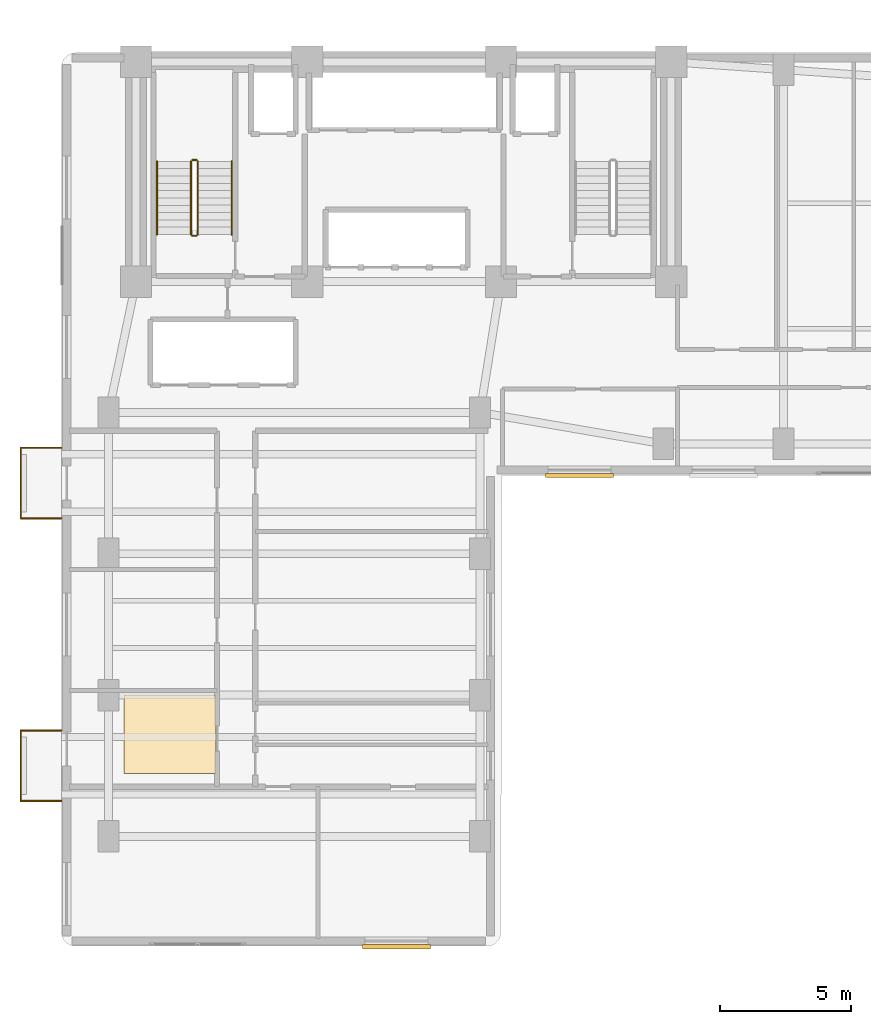
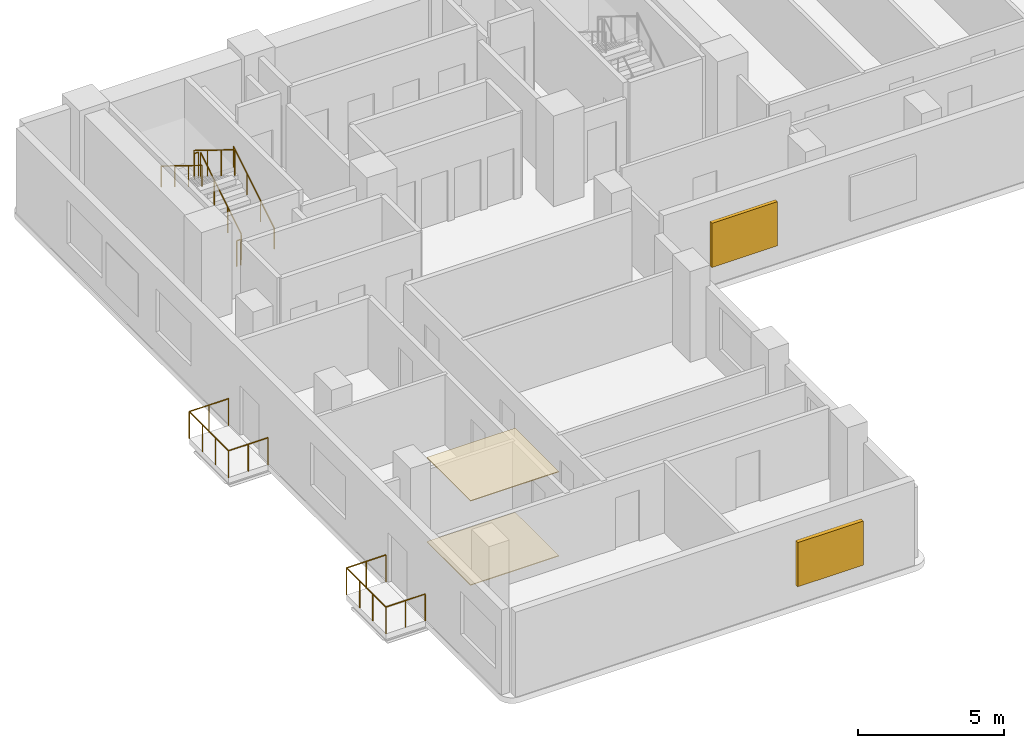
# One storey, part 13 of 16: 12 railings, 2 coverings, 2 shading devices.
"""IFC4 building model written with IfcOpenShell, lengths in metres."""

from ifc_helpers import new_model, si_unit, direction, frame, origin, origin_2d, place, context, subcontext, project, spatial, polyline, rectangle, circle, outline, extrude, material, layer, layer_set, type_object, element, save


model = new_model("IFC4")

# Units and contexts
model_context = context("Model", 3, precision=1e-05, world=origin(), true_north=direction((0.0, 1.0)))
body_context = subcontext(model_context, "Body", "Model", "MODEL_VIEW")
ifc_project = project(units=[si_unit("LENGTHUNIT", "METRE"), si_unit("AREAUNIT", "SQUARE_METRE"), si_unit("VOLUMEUNIT", "CUBIC_METRE"), si_unit("PLANEANGLEUNIT", "RADIAN"), si_unit("MASSUNIT", "GRAM", prefix="KILO")], contexts=[model_context])

# Site, building, storey
site_placement = place(None, origin())
site = spatial("IfcSite", under=ifc_project, at=site_placement, CompositionType="ELEMENT")
building_placement = place(site_placement, origin())
building = spatial("IfcBuilding", under=site, at=building_placement, Name="Kuzgunbayir Cultural Tower", CompositionType="ELEMENT")
storey_placement = place(building_placement, frame((0.0, 0.0, 75.60009765625)))
storey = spatial("IfcBuildingStorey", under=building, at=storey_placement, Name="L21", CompositionType="ELEMENT", Elevation=75.60009765625)

# Coverings
ifc_material_1 = material(Name="Perforated Gypsum Acoustic Tile", Category="gypsum")
ifc_layer_1 = layer(ifc_material_1, 0.02490234375)
ifc_layer_set_1 = layer_set([ifc_layer_1], Name="Perforated Gypsum Acoustic Tile")
covering_type_1 = type_object("IfcCoveringType", Name="COV-CEIL-ACOUSTIC", PredefinedType="CEILING", material=ifc_layer_set_1)
covering_1_placement = place(storey_placement, frame((0.0, 0.0, 3.52978515625)))
element("IfcCovering", 1, at=covering_1_placement, inside=storey, type_object=covering_type_1, Name="L21 Acoustic Soffit Ceiling", PredefinedType="CEILING", context=body_context, shape_type="SweptSolid", body=[
    extrude(outline(polyline([(6.0, 15.0), (9.5, 15.0), (9.5, 18.0), (6.0, 18.0), (6.0, 15.0)])), origin(), (0.0, 0.0, 1.0), 0.030029296875),
])
ifc_material_2 = material(Name="Honed Anatolian Marble Terrazzo", Category="masonry")
ifc_layer_2 = layer(ifc_material_2, 0.030029296875)
ifc_layer_set_2 = layer_set([ifc_layer_2], Name="Honed Anatolian Marble Terrazzo")
covering_type_2 = type_object("IfcCoveringType", Name="COV-FLOOR-TERRAZZO", PredefinedType="FLOORING", material=ifc_layer_set_2)
covering_2_placement = place(storey_placement, origin())
element("IfcCovering", 2, at=covering_2_placement, inside=storey, type_object=covering_type_2, Name="L21 Acoustic Floor Finish", PredefinedType="FLOORING", context=body_context, shape_type="SweptSolid", body=[
    extrude(outline(polyline([(6.0, 15.0), (9.5, 15.0), (9.5, 18.0), (6.0, 18.0), (6.0, 15.0)])), origin(), (0.0, 0.0, 1.0), 0.02978515625),
])

# Railings
ifc_material_3 = material(Name="Laminated Glass and Stainless Steel", Category="steel")
ifc_layer_3 = layer(ifc_material_3, 0.080078125)
ifc_layer_set_3 = layer_set([ifc_layer_3], Name="Laminated Glass and Stainless Steel")
railing_type_1 = type_object("IfcRailingType", Name="RLG-BAL-115", PredefinedType="BALUSTRADE", material=ifc_layer_set_3)
railing_1_placement = place(storey_placement, frame((3.60009765625, 13.949951171875, 0.0)))
element("IfcRailing", 3, at=railing_1_placement, inside=storey, type_object=railing_type_1, Name="L21 Balcony Guard BAL-L21-WA1 Segment 1", PredefinedType="BALUSTRADE", context=body_context, shape_type="SweptSolid", body=[
    extrude(circle(Radius=0.02392578125, at=origin_2d()), frame((0.0, 0.0, 1.1259765625), z_axis=(-1.0, 0.0, 0.0), x_axis=(0.0, -1.0, 0.0)), (0.0, 0.0, 1.0), 1.56005859375),
    extrude(circle(Radius=0.02099609375, at=origin_2d()), origin(), (0.0, 0.0, 1.0), 1.101806640625),
    extrude(circle(Radius=0.02099609375, at=origin_2d()), frame((-0.780029296875, 0.0, 0.0)), (0.0, 0.0, 1.0), 1.101806640625),
    extrude(circle(Radius=0.02099609375, at=origin_2d()), frame((-1.56005859375, 0.0, 0.0)), (0.0, 0.0, 1.0), 1.101806640625),
])
railing_2_placement = place(storey_placement, frame((2.0400390625, 13.949951171875, 0.0)))
element("IfcRailing", 4, at=railing_2_placement, inside=storey, type_object=railing_type_1, Name="L21 Balcony Guard BAL-L21-WA1 Segment 2", PredefinedType="BALUSTRADE", context=body_context, shape_type="SweptSolid", body=[
    extrude(circle(Radius=0.02392578125, at=origin_2d()), frame((0.0, 0.0, 1.1259765625), z_axis=(0.0, 1.0, 0.0), x_axis=(-1.0, 0.0, 0.0)), (0.0, 0.0, 1.0), 2.699951171875),
    extrude(circle(Radius=0.02099609375, at=origin_2d()), origin(), (0.0, 0.0, 1.0), 1.101806640625),
    extrude(circle(Radius=0.02099609375, at=origin_2d()), frame((0.0, 0.89990234375, 0.0)), (0.0, 0.0, 1.0), 1.101806640625),
    extrude(circle(Radius=0.02099609375, at=origin_2d()), frame((0.0, 1.800048828125, 0.0)), (0.0, 0.0, 1.0), 1.101806640625),
    extrude(circle(Radius=0.02099609375, at=origin_2d()), frame((0.0, 2.699951171875, 0.0)), (0.0, 0.0, 1.0), 1.101806640625),
])
railing_3_placement = place(storey_placement, frame((2.0400390625, 16.64990234375, 0.0)))
element("IfcRailing", 5, at=railing_3_placement, inside=storey, type_object=railing_type_1, Name="L21 Balcony Guard BAL-L21-WA1 Segment 3", PredefinedType="BALUSTRADE", context=body_context, shape_type="SweptSolid", body=[
    extrude(circle(Radius=0.02392578125, at=origin_2d()), frame((0.0, 0.0, 1.1259765625), z_axis=(1.0, 0.0, 0.0), x_axis=(0.0, 1.0, 0.0)), (0.0, 0.0, 1.0), 1.56005859375),
    extrude(circle(Radius=0.02099609375, at=origin_2d()), origin(), (0.0, 0.0, 1.0), 1.101806640625),
    extrude(circle(Radius=0.02099609375, at=origin_2d()), frame((0.780029296875, 0.0, 0.0)), (0.0, 0.0, 1.0), 1.101806640625),
    extrude(circle(Radius=0.02099609375, at=origin_2d()), frame((1.56005859375, 0.0, 0.0)), (0.0, 0.0, 1.0), 1.101806640625),
])
railing_4_placement = place(storey_placement, frame((3.60009765625, 24.75, 0.0)))
element("IfcRailing", 6, at=railing_4_placement, inside=storey, type_object=railing_type_1, Name="L21 Balcony Guard BAL-L21-WA3 Segment 1", PredefinedType="BALUSTRADE", context=body_context, shape_type="SweptSolid", body=[
    extrude(circle(Radius=0.02392578125, at=origin_2d()), frame((0.0, 0.0, 1.1259765625), z_axis=(-1.0, 0.0, 0.0), x_axis=(0.0, -1.0, 0.0)), (0.0, 0.0, 1.0), 1.56005859375),
    extrude(circle(Radius=0.02099609375, at=origin_2d()), origin(), (0.0, 0.0, 1.0), 1.101806640625),
    extrude(circle(Radius=0.02099609375, at=origin_2d()), frame((-0.780029296875, 0.0, 0.0)), (0.0, 0.0, 1.0), 1.101806640625),
    extrude(circle(Radius=0.02099609375, at=origin_2d()), frame((-1.56005859375, 0.0, 0.0)), (0.0, 0.0, 1.0), 1.101806640625),
])
railing_5_placement = place(storey_placement, frame((2.0400390625, 24.75, 0.0)))
element("IfcRailing", 7, at=railing_5_placement, inside=storey, type_object=railing_type_1, Name="L21 Balcony Guard BAL-L21-WA3 Segment 2", PredefinedType="BALUSTRADE", context=body_context, shape_type="SweptSolid", body=[
    extrude(circle(Radius=0.02392578125, at=origin_2d()), frame((0.0, 0.0, 1.1259765625), z_axis=(0.0, 1.0, 0.0), x_axis=(-1.0, 0.0, 0.0)), (0.0, 0.0, 1.0), 2.699951171875),
    extrude(circle(Radius=0.02099609375, at=origin_2d()), origin(), (0.0, 0.0, 1.0), 1.101806640625),
    extrude(circle(Radius=0.02099609375, at=origin_2d()), frame((0.0, 0.89990234375, 0.0)), (0.0, 0.0, 1.0), 1.101806640625),
    extrude(circle(Radius=0.02099609375, at=origin_2d()), frame((0.0, 1.800048828125, 0.0)), (0.0, 0.0, 1.0), 1.101806640625),
    extrude(circle(Radius=0.02099609375, at=origin_2d()), frame((0.0, 2.699951171875, 0.0)), (0.0, 0.0, 1.0), 1.101806640625),
])
railing_6_placement = place(storey_placement, frame((2.0400390625, 27.449951171875, 0.0)))
element("IfcRailing", 8, at=railing_6_placement, inside=storey, type_object=railing_type_1, Name="L21 Balcony Guard BAL-L21-WA3 Segment 3", PredefinedType="BALUSTRADE", context=body_context, shape_type="SweptSolid", body=[
    extrude(circle(Radius=0.02392578125, at=origin_2d()), frame((0.0, 0.0, 1.1259765625), z_axis=(1.0, 0.0, 0.0), x_axis=(0.0, 1.0, 0.0)), (0.0, 0.0, 1.0), 1.56005859375),
    extrude(circle(Radius=0.02099609375, at=origin_2d()), origin(), (0.0, 0.0, 1.0), 1.101806640625),
    extrude(circle(Radius=0.02099609375, at=origin_2d()), frame((0.780029296875, 0.0, 0.0)), (0.0, 0.0, 1.0), 1.101806640625),
    extrude(circle(Radius=0.02099609375, at=origin_2d()), frame((1.56005859375, 0.0, 0.0)), (0.0, 0.0, 1.0), 1.101806640625),
])
ifc_material_4 = material(Name="Brushed Stainless Steel", Category="steel")
ifc_layer_4 = layer(ifc_material_4, 0.050048828125)
ifc_layer_set_4 = layer_set([ifc_layer_4], Name="Brushed Stainless Steel")
railing_type_2 = type_object("IfcRailingType", Name="RLG-STAIR-HANDRAIL", PredefinedType="HANDRAIL", material=ifc_layer_set_4)
railing_7_placement = place(storey_placement, frame((10.110107421875, 35.60009765625, 0.172607421875)))
element("IfcRailing", 9, at=railing_7_placement, inside=storey, type_object=railing_type_2, Name="L21 ST-1 stair handrail 1", PredefinedType="HANDRAIL", context=body_context, shape_type="SweptSolid", body=[
    extrude(circle(Radius=0.02392578125, at=origin_2d()), frame((0.0, 0.0, 0.8759765625), z_axis=(0.0, 0.851069175582, 0.525053576669), x_axis=(-1.0, 0.0, 0.0)), (0.0, 0.0, 1.0), 3.289794921875),
    extrude(circle(Radius=0.02099609375, at=origin_2d()), origin(), (0.0, 0.0, 1.0), 0.851806640625),
    extrude(circle(Radius=0.02099609375, at=origin_2d()), frame((0.0, 0.933349609375, 0.57568359375)), (0.0, 0.0, 1.0), 0.851806640625),
    extrude(circle(Radius=0.02099609375, at=origin_2d()), frame((0.0, 1.866455078125, 1.151611328125)), (0.0, 0.0, 1.0), 0.851806640625),
    extrude(circle(Radius=0.02099609375, at=origin_2d()), frame((0.0, 2.7998046875, 1.727294921875)), (0.0, 0.0, 1.0), 0.851806640625),
])
railing_8_placement = place(storey_placement, frame((7.25, 38.39990234375, 2.072509765625)))
element("IfcRailing", 10, at=railing_8_placement, inside=storey, type_object=railing_type_2, Name="L21 ST-1 stair handrail 2", PredefinedType="HANDRAIL", context=body_context, shape_type="SweptSolid", body=[
    extrude(circle(Radius=0.02392578125, at=origin_2d()), frame((0.0, 0.0, 0.8759765625), z_axis=(0.0, -0.851069175582, 0.525053576669), x_axis=(1.0, 0.0, 0.0)), (0.0, 0.0, 1.0), 3.289794921875),
    extrude(circle(Radius=0.02099609375, at=origin_2d()), origin(), (0.0, 0.0, 1.0), 0.851806640625),
    extrude(circle(Radius=0.02099609375, at=origin_2d()), frame((0.0, -0.933349609375, 0.57568359375)), (0.0, 0.0, 1.0), 0.851806640625),
    extrude(circle(Radius=0.02099609375, at=origin_2d()), frame((0.0, -1.866455078125, 1.151611328125)), (0.0, 0.0, 1.0), 0.851806640625),
    extrude(circle(Radius=0.02099609375, at=origin_2d()), frame((0.0, -2.7998046875, 1.727294921875)), (0.0, 0.0, 1.0), 0.851806640625),
])
ifc_material_5 = material(Name="Painted Steel Balustrade", Category="steel")
ifc_layer_5 = layer(ifc_material_5, 0.06005859375)
ifc_layer_set_5 = layer_set([ifc_layer_5], Name="Painted Steel Balustrade")
railing_type_3 = type_object("IfcRailingType", Name="RLG-WELL-GUARD", PredefinedType="GUARDRAIL", material=ifc_layer_set_5)
railing_9_placement = place(storey_placement, frame((8.81005859375, 35.60009765625, 0.172607421875)))
element("IfcRailing", 11, at=railing_9_placement, inside=storey, type_object=railing_type_3, Name="L21 ST-1 stair guard 1", PredefinedType="GUARDRAIL", context=body_context, shape_type="SweptSolid", body=[
    extrude(circle(Radius=0.02392578125, at=origin_2d()), frame((0.0, 0.0, 1.076171875), z_axis=(0.0, 0.851069175582, 0.525053576669), x_axis=(-1.0, 0.0, 0.0)), (0.0, 0.0, 1.0), 3.289794921875),
    extrude(circle(Radius=0.02099609375, at=origin_2d()), origin(), (0.0, 0.0, 1.0), 1.052001953125),
    extrude(circle(Radius=0.02099609375, at=origin_2d()), frame((0.0, 0.933349609375, 0.57568359375)), (0.0, 0.0, 1.0), 1.052001953125),
    extrude(circle(Radius=0.02099609375, at=origin_2d()), frame((0.0, 1.866455078125, 1.151611328125)), (0.0, 0.0, 1.0), 1.052001953125),
    extrude(circle(Radius=0.02099609375, at=origin_2d()), frame((0.0, 2.7998046875, 1.727294921875)), (0.0, 0.0, 1.0), 1.052001953125),
])
railing_10_placement = place(storey_placement, frame((8.760009765625, 38.449951171875, 1.89990234375)))
element("IfcRailing", 12, at=railing_10_placement, inside=storey, type_object=railing_type_3, Name="L21 ST-1 stair guard 2", PredefinedType="GUARDRAIL", context=body_context, shape_type="SweptSolid", body=[
    extrude(circle(Radius=0.02392578125, at=origin_2d()), frame((0.0, 0.0, 1.076171875), z_axis=(-1.0, 0.0, 0.0), x_axis=(0.0, -1.0, 0.0)), (0.0, 0.0, 1.0), 0.159912109375),
    extrude(circle(Radius=0.02099609375, at=origin_2d()), origin(), (0.0, 0.0, 1.0), 1.052001953125),
    extrude(circle(Radius=0.02099609375, at=origin_2d()), frame((-0.159912109375, 0.0, 0.0)), (0.0, 0.0, 1.0), 1.052001953125),
])
railing_11_placement = place(storey_placement, frame((8.550048828125, 38.39990234375, 2.072509765625)))
element("IfcRailing", 13, at=railing_11_placement, inside=storey, type_object=railing_type_3, Name="L21 ST-1 stair guard 3", PredefinedType="GUARDRAIL", context=body_context, shape_type="SweptSolid", body=[
    extrude(circle(Radius=0.02392578125, at=origin_2d()), frame((0.0, 0.0, 1.076171875), z_axis=(0.0, -0.851069175582, 0.525053576669), x_axis=(1.0, 0.0, 0.0)), (0.0, 0.0, 1.0), 3.289794921875),
    extrude(circle(Radius=0.02099609375, at=origin_2d()), origin(), (0.0, 0.0, 1.0), 1.052001953125),
    extrude(circle(Radius=0.02099609375, at=origin_2d()), frame((0.0, -0.933349609375, 0.57568359375)), (0.0, 0.0, 1.0), 1.052001953125),
    extrude(circle(Radius=0.02099609375, at=origin_2d()), frame((0.0, -1.866455078125, 1.151611328125)), (0.0, 0.0, 1.0), 1.052001953125),
    extrude(circle(Radius=0.02099609375, at=origin_2d()), frame((0.0, -2.7998046875, 1.727294921875)), (0.0, 0.0, 1.0), 1.052001953125),
])
railing_12_placement = place(storey_placement, frame((8.760009765625, 35.550048828125, 0.0)))
element("IfcRailing", 14, at=railing_12_placement, inside=storey, type_object=railing_type_3, Name="L21 ST-1 stair guard 4", PredefinedType="GUARDRAIL", context=body_context, shape_type="SweptSolid", body=[
    extrude(circle(Radius=0.02392578125, at=origin_2d()), frame((0.0, 0.0, 1.076171875), z_axis=(-1.0, 0.0, 0.0), x_axis=(0.0, -1.0, 0.0)), (0.0, 0.0, 1.0), 0.159912109375),
    extrude(circle(Radius=0.02099609375, at=origin_2d()), origin(), (0.0, 0.0, 1.0), 1.052001953125),
    extrude(circle(Radius=0.02099609375, at=origin_2d()), frame((-0.159912109375, 0.0, 0.0)), (0.0, 0.0, 1.0), 1.052001953125),
])

# Shading devices
ifc_material_6 = material(Name="Perforated Bronze-Anodised Aluminium", Category="aluminium")
shading_device_type_1 = type_object("IfcShadingDeviceType", Name="SHD-SOLAR-BRONZE", PredefinedType="JALOUSIE", material=ifc_material_6)
shading_device_1_placement = place(storey_placement, frame((23.39990234375, 26.389892578125, 0.824951171875), z_axis=(0.0, 0.0, 1.0), x_axis=(1.0, 0.0, 0.0)))
element("IfcShadingDevice", 15, at=shading_device_1_placement, inside=storey, type_object=shading_device_type_1, Name="L21 Solar Screen WBS8", PredefinedType="JALOUSIE", context=body_context, shape_type="SweptSolid", body=[
    extrude(rectangle(XDim=2.60009765625, YDim=0.139892578125, at=origin_2d()), origin(), (0.0, 0.0, 1.0), 1.85009765625),
])
ifc_material_7 = material(Name="Warm Terracotta Ceramic Baguette", Category="masonry")
shading_device_type_2 = type_object("IfcShadingDeviceType", Name="SHD-SOLAR-CERAMIC", PredefinedType="SHUTTER", material=ifc_material_7)
shading_device_2_placement = place(storey_placement, frame((16.39990234375, 8.3798828125, 0.824951171875), z_axis=(0.0, 0.0, 1.0), x_axis=(1.0, 0.0, 0.0)))
element("IfcShadingDevice", 16, at=shading_device_2_placement, inside=storey, type_object=shading_device_type_2, Name="L21 Solar Screen WAS7", PredefinedType="SHUTTER", context=body_context, shape_type="SweptSolid", body=[
    extrude(rectangle(XDim=2.60009765625, YDim=0.159912109375, at=origin_2d()), origin(), (0.0, 0.0, 1.0), 1.85009765625),
])

save(model, "model.ifc")
